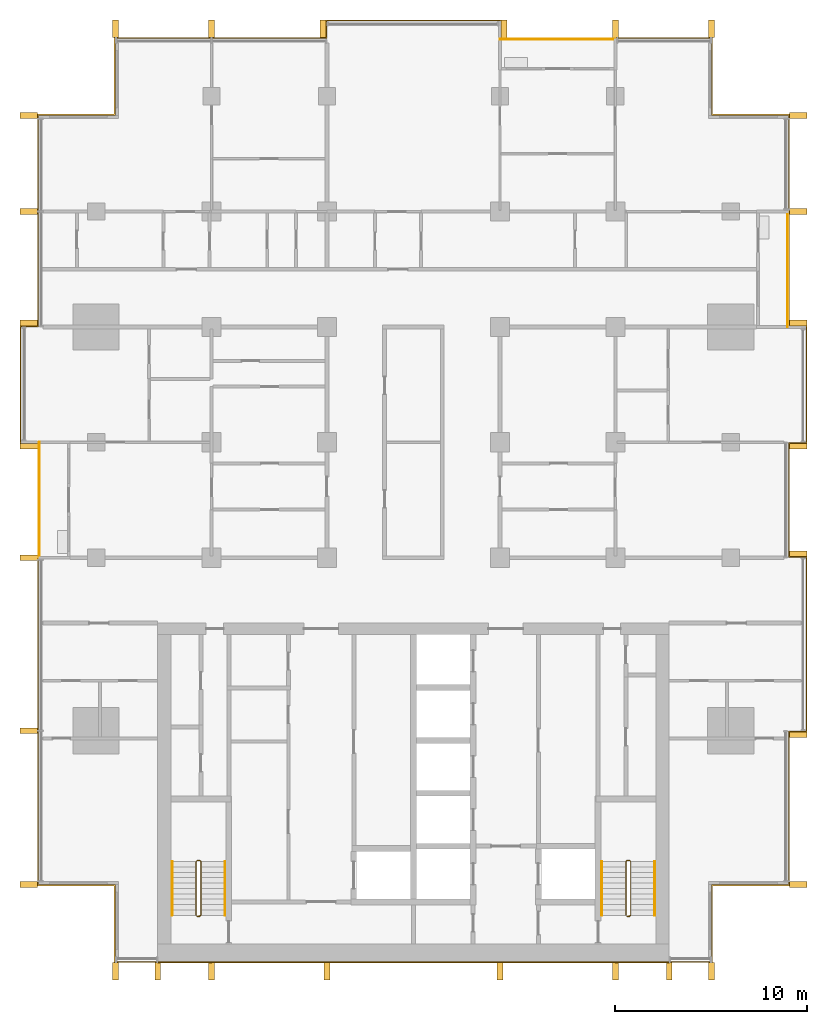
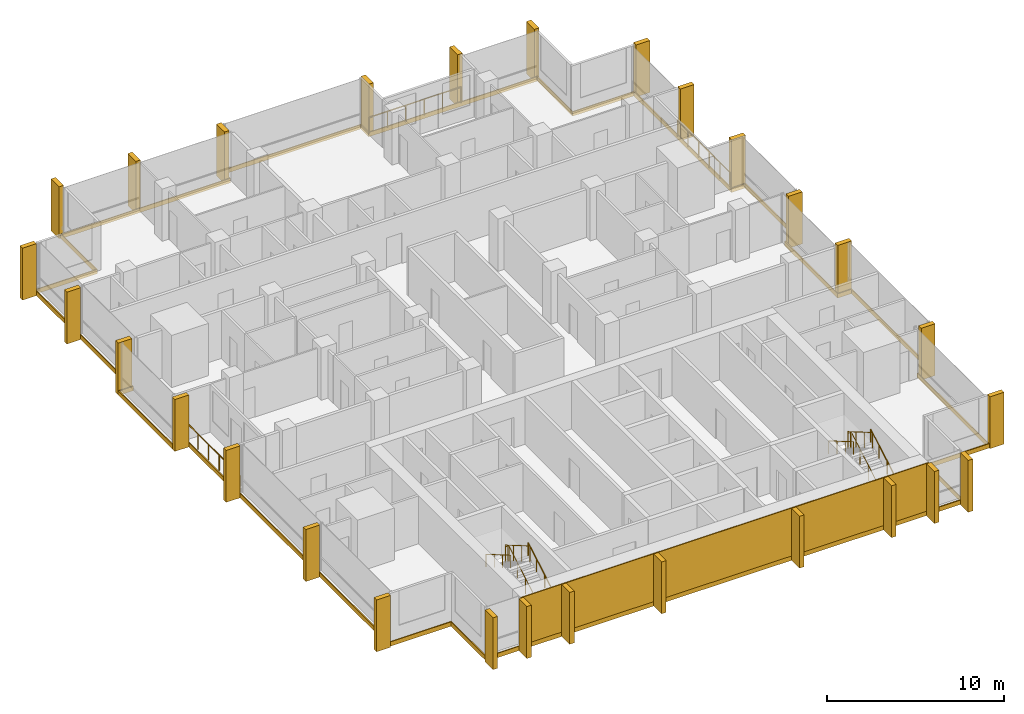
# One storey, part 17 of 17: 28 shading devices, 9 railings, 6 coverings.
"""IFC4 building model written with IfcOpenShell, lengths in metres."""

from ifc_helpers import new_model, si_unit, direction, frame, origin, origin_2d, place, context, subcontext, project, spatial, polyline, rectangle, circle, outline, extrude, material, layer, layer_set, type_object, element, save


model = new_model("IFC4")

# Units and contexts
model_context = context("Model", 3, precision=1e-05, world=origin(), true_north=direction((0.0, 1.0)))
body_context = subcontext(model_context, "Body", "Model", "MODEL_VIEW")
ifc_project = project(units=[si_unit("LENGTHUNIT", "METRE"), si_unit("AREAUNIT", "SQUARE_METRE"), si_unit("VOLUMEUNIT", "CUBIC_METRE"), si_unit("PLANEANGLEUNIT", "RADIAN"), si_unit("MASSUNIT", "GRAM", prefix="KILO")], contexts=[model_context])

# Site, building, storey
site_placement = place(None, origin())
site = spatial("IfcSite", under=ifc_project, at=site_placement, CompositionType="ELEMENT")
building_placement = place(site_placement, origin())
building = spatial("IfcBuilding", under=site, at=building_placement, Name="Finial Court Residences", CompositionType="ELEMENT")
storey_placement = place(building_placement, frame((0.0, 0.0, 192.5)))
storey = spatial("IfcBuildingStorey", under=building, at=storey_placement, Name="L48", CompositionType="ELEMENT", Elevation=192.5)

# Railings
ifc_material_1 = material(Name="Bronze anodised aluminium", Category="aluminium")
railing_type_1 = type_object("IfcRailingType", Name="Balcony guard 1100", PredefinedType="GUARDRAIL", material=ifc_material_1)
railing_1_placement = place(storey_placement, frame((4.5, 22.449951171875, 0.0)))
element("IfcRailing", 1, at=railing_1_placement, inside=storey, type_object=railing_type_1, Name="E-L48-BALN4-R", PredefinedType="GUARDRAIL", context=body_context, shape_type="SweptSolid", body=[
    extrude(circle(Radius=0.02392578125, at=origin_2d()), frame((0.0, 0.0, 1.076171875), z_axis=(1.0, 0.0, 0.0), x_axis=(0.0, 1.0, 0.0)), (0.0, 0.0, 1.0), 6.0),
    extrude(circle(Radius=0.02099609375, at=origin_2d()), origin(), (0.0, 0.0, 1.0), 1.052001953125),
    extrude(circle(Radius=0.02099609375, at=origin_2d()), frame((1.199951171875, 0.0, 0.0)), (0.0, 0.0, 1.0), 1.052001953125),
    extrude(circle(Radius=0.02099609375, at=origin_2d()), frame((2.39990234375, 0.0, 0.0)), (0.0, 0.0, 1.0), 1.052001953125),
    extrude(circle(Radius=0.02099609375, at=origin_2d()), frame((3.60009765625, 0.0, 0.0)), (0.0, 0.0, 1.0), 1.052001953125),
    extrude(circle(Radius=0.02099609375, at=origin_2d()), frame((4.800048828125, 0.0, 0.0)), (0.0, 0.0, 1.0), 1.052001953125),
    extrude(circle(Radius=0.02099609375, at=origin_2d()), frame((6.0, 0.0, 0.0)), (0.0, 0.0, 1.0), 1.052001953125),
])
for number, where, name in (
    (2, (19.449951171875, 7.5, 0.0), "E-L48-BALE5-R"),
    (3, (-19.449951171875, -4.5, 0.0), "E-L48-BALW3-R"),
):
    element("IfcRailing", number, at=place(storey_placement, frame(where)), inside=storey, type_object=railing_type_1, Name=name, PredefinedType="GUARDRAIL", context=body_context, shape_type="SweptSolid", body=[
        extrude(circle(Radius=0.02392578125, at=origin_2d()), frame((0.0, 0.0, 1.076171875), z_axis=(0.0, 1.0, 0.0), x_axis=(-1.0, 0.0, 0.0)), (0.0, 0.0, 1.0), 6.0),
        extrude(circle(Radius=0.02099609375, at=origin_2d()), origin(), (0.0, 0.0, 1.0), 1.052001953125),
        extrude(circle(Radius=0.02099609375, at=origin_2d()), frame((0.0, 1.199951171875, 0.0)), (0.0, 0.0, 1.0), 1.052001953125),
        extrude(circle(Radius=0.02099609375, at=origin_2d()), frame((0.0, 2.39990234375, 0.0)), (0.0, 0.0, 1.0), 1.052001953125),
        extrude(circle(Radius=0.02099609375, at=origin_2d()), frame((0.0, 3.60009765625, 0.0)), (0.0, 0.0, 1.0), 1.052001953125),
        extrude(circle(Radius=0.02099609375, at=origin_2d()), frame((0.0, 4.800048828125, 0.0)), (0.0, 0.0, 1.0), 1.052001953125),
        extrude(circle(Radius=0.02099609375, at=origin_2d()), frame((0.0, 6.0, 0.0)), (0.0, 0.0, 1.0), 1.052001953125),
    ])

# Coverings
ifc_material_2 = material(Name="Natural limestone", Category="masonry")
ifc_layer_1 = layer(ifc_material_2, 0.06005859375)
ifc_layer_set_1 = layer_set([ifc_layer_1], Name="Limestone cladding to the blind core face 60")
covering_type_1 = type_object("IfcCoveringType", Name="Limestone cladding to the blind core face 60", PredefinedType="CLADDING", material=ifc_layer_set_1)
covering_1_placement = place(storey_placement, origin())
element("IfcCovering", 4, at=covering_1_placement, inside=storey, type_object=covering_type_1, Name="E-L48-CLAD1", PredefinedType="CLADDING", context=body_context, shape_type="SweptSolid", body=[
    extrude(outline(polyline([(-10.5, -25.56005859375), (-10.5, -25.5), (-13.300048828125, -25.5), (-13.300048828125, -25.56005859375), (-10.5, -25.56005859375)])), origin(), (0.0, 0.0, 1.0), 3.300048828125),
])
covering_2_placement = place(storey_placement, origin())
element("IfcCovering", 5, at=covering_2_placement, inside=storey, type_object=covering_type_1, Name="E-L48-CLAD2", PredefinedType="CLADDING", context=body_context, shape_type="SweptSolid", body=[
    extrude(outline(polyline([(-4.5, -25.56005859375), (-4.5, -25.5), (-10.5, -25.5), (-10.5, -25.56005859375), (-4.5, -25.56005859375)])), origin(), (0.0, 0.0, 1.0), 3.300048828125),
])
covering_3_placement = place(storey_placement, origin())
element("IfcCovering", 6, at=covering_3_placement, inside=storey, type_object=covering_type_1, Name="E-L48-CLAD3", PredefinedType="CLADDING", context=body_context, shape_type="SweptSolid", body=[
    extrude(outline(polyline([(4.5, -25.56005859375), (4.5, -25.5), (-4.5, -25.5), (-4.5, -25.56005859375), (4.5, -25.56005859375)])), origin(), (0.0, 0.0, 1.0), 3.300048828125),
])
covering_4_placement = place(storey_placement, origin())
element("IfcCovering", 7, at=covering_4_placement, inside=storey, type_object=covering_type_1, Name="E-L48-CLAD4", PredefinedType="CLADDING", context=body_context, shape_type="SweptSolid", body=[
    extrude(outline(polyline([(10.5, -25.56005859375), (10.5, -25.5), (4.5, -25.5), (4.5, -25.56005859375), (10.5, -25.56005859375)])), origin(), (0.0, 0.0, 1.0), 3.300048828125),
])
covering_5_placement = place(storey_placement, origin())
element("IfcCovering", 8, at=covering_5_placement, inside=storey, type_object=covering_type_1, Name="E-L48-CLAD5", PredefinedType="CLADDING", context=body_context, shape_type="SweptSolid", body=[
    extrude(outline(polyline([(13.300048828125, -25.56005859375), (13.300048828125, -25.5), (10.5, -25.5), (10.5, -25.56005859375), (13.300048828125, -25.56005859375)])), origin(), (0.0, 0.0, 1.0), 3.300048828125),
])

# Shading devices
shading_device_type = type_object("IfcShadingDeviceType", Name="Limestone fin 300 x 900", PredefinedType="USERDEFINED", material=ifc_material_2)
for number, where, z_axis, x_axis, name in (
    (9, (-15.5, 23.010009765625, -0.300048828125), (0.0, 0.0, 1.0), (1.0, 0.0, 0.0), "E-L48-FIN-N1"),
    (10, (-10.5, 23.010009765625, -0.300048828125), (0.0, 0.0, 1.0), (1.0, 0.0, 0.0), "E-L48-FIN-N2"),
    (11, (-4.7099609375, 23.010009765625, -0.300048828125), (0.0, 0.0, 1.0), (1.0, 0.0, 0.0), "E-L48-FIN-N3"),
    (12, (4.7099609375, 23.010009765625, -0.300048828125), (0.0, 0.0, 1.0), (1.0, 0.0, 0.0), "E-L48-FIN-N4"),
    (13, (10.5, 23.010009765625, -0.300048828125), (0.0, 0.0, 1.0), (1.0, 0.0, 0.0), "E-L48-FIN-N5"),
    (14, (15.5, 23.010009765625, -0.300048828125), (0.0, 0.0, 1.0), (1.0, 0.0, 0.0), "E-L48-FIN-N6"),
):
    element("IfcShadingDevice", number, at=place(storey_placement, frame(where, z_axis=z_axis, x_axis=x_axis)), inside=storey, type_object=shading_device_type, Name=name, ObjectType="FIN", PredefinedType="USERDEFINED", context=body_context, shape_type="SweptSolid", body=[
        extrude(rectangle(XDim=0.300048828125, YDim=0.89990234375, at=origin_2d()), origin(), (0.0, 0.0, 1.0), 3.580078125),
    ])
for number, where, z_axis, x_axis, name in (
    (15, (20.010009765625, -21.5, -0.300048828125), (0.0, 0.0, 1.0), (1.0, 0.0, 0.0), "E-L48-FIN-E7"),
    (16, (20.010009765625, -13.7099609375, -0.300048828125), (0.0, 0.0, 1.0), (1.0, 0.0, 0.0), "E-L48-FIN-E8"),
    (17, (20.010009765625, -4.2900390625, -0.300048828125), (0.0, 0.0, 1.0), (1.0, 0.0, 0.0), "E-L48-FIN-E9"),
    (18, (20.010009765625, 1.2900390625, -0.300048828125), (0.0, 0.0, 1.0), (1.0, 0.0, 0.0), "E-L48-FIN-E10"),
    (19, (20.010009765625, 7.7099609375, -0.300048828125), (0.0, 0.0, 1.0), (1.0, 0.0, 0.0), "E-L48-FIN-E11"),
    (20, (20.010009765625, 13.5, -0.300048828125), (0.0, 0.0, 1.0), (1.0, 0.0, 0.0), "E-L48-FIN-E12"),
    (21, (20.010009765625, 18.5, -0.300048828125), (0.0, 0.0, 1.0), (1.0, 0.0, 0.0), "E-L48-FIN-E13"),
):
    element("IfcShadingDevice", number, at=place(storey_placement, frame(where, z_axis=z_axis, x_axis=x_axis)), inside=storey, type_object=shading_device_type, Name=name, ObjectType="FIN", PredefinedType="USERDEFINED", context=body_context, shape_type="SweptSolid", body=[
        extrude(rectangle(XDim=0.89990234375, YDim=0.300048828125, at=origin_2d()), origin(), (0.0, 0.0, 1.0), 3.580078125),
    ])
for number, where, z_axis, x_axis, name in (
    (22, (-15.5, -26.010009765625, -0.300048828125), (0.0, 0.0, 1.0), (1.0, 0.0, 0.0), "E-L48-FIN-S14"),
    (23, (-13.300048828125, -26.010009765625, -0.300048828125), (0.0, 0.0, 1.0), (1.0, 0.0, 0.0), "E-L48-FIN-S15"),
    (24, (-10.5, -26.010009765625, -0.300048828125), (0.0, 0.0, 1.0), (1.0, 0.0, 0.0), "E-L48-FIN-S16"),
    (25, (-4.5, -26.010009765625, -0.300048828125), (0.0, 0.0, 1.0), (1.0, 0.0, 0.0), "E-L48-FIN-S17"),
    (26, (4.5, -26.010009765625, -0.300048828125), (0.0, 0.0, 1.0), (1.0, 0.0, 0.0), "E-L48-FIN-S18"),
    (27, (10.5, -26.010009765625, -0.300048828125), (0.0, 0.0, 1.0), (1.0, 0.0, 0.0), "E-L48-FIN-S19"),
    (28, (13.300048828125, -26.010009765625, -0.300048828125), (0.0, 0.0, 1.0), (1.0, 0.0, 0.0), "E-L48-FIN-S20"),
    (29, (15.5, -26.010009765625, -0.300048828125), (0.0, 0.0, 1.0), (1.0, 0.0, 0.0), "E-L48-FIN-S21"),
):
    element("IfcShadingDevice", number, at=place(storey_placement, frame(where, z_axis=z_axis, x_axis=x_axis)), inside=storey, type_object=shading_device_type, Name=name, ObjectType="FIN", PredefinedType="USERDEFINED", context=body_context, shape_type="SweptSolid", body=[
        extrude(rectangle(XDim=0.300048828125, YDim=0.89990234375, at=origin_2d()), origin(), (0.0, 0.0, 1.0), 3.580078125),
    ])
for number, where, z_axis, x_axis, name in (
    (30, (-20.010009765625, -21.5, -0.300048828125), (0.0, 0.0, 1.0), (1.0, 0.0, 0.0), "E-L48-FIN-W22"),
    (31, (-20.010009765625, -13.5, -0.300048828125), (0.0, 0.0, 1.0), (1.0, 0.0, 0.0), "E-L48-FIN-W23"),
    (32, (-20.010009765625, -4.5, -0.300048828125), (0.0, 0.0, 1.0), (1.0, 0.0, 0.0), "E-L48-FIN-W24"),
    (33, (-20.010009765625, 1.2900390625, -0.300048828125), (0.0, 0.0, 1.0), (1.0, 0.0, 0.0), "E-L48-FIN-W25"),
    (34, (-20.010009765625, 7.7099609375, -0.300048828125), (0.0, 0.0, 1.0), (1.0, 0.0, 0.0), "E-L48-FIN-W26"),
    (35, (-20.010009765625, 13.5, -0.300048828125), (0.0, 0.0, 1.0), (1.0, 0.0, 0.0), "E-L48-FIN-W27"),
    (36, (-20.010009765625, 18.5, -0.300048828125), (0.0, 0.0, 1.0), (1.0, 0.0, 0.0), "E-L48-FIN-W28"),
):
    element("IfcShadingDevice", number, at=place(storey_placement, frame(where, z_axis=z_axis, x_axis=x_axis)), inside=storey, type_object=shading_device_type, Name=name, ObjectType="FIN", PredefinedType="USERDEFINED", context=body_context, shape_type="SweptSolid", body=[
        extrude(rectangle(XDim=0.89990234375, YDim=0.300048828125, at=origin_2d()), origin(), (0.0, 0.0, 1.0), 3.580078125),
    ])

# Covering
ifc_material_3 = material(Name="Pale limestone", Category="masonry")
ifc_layer_2 = layer(ifc_material_3, 0.06005859375)
ifc_layer_set_2 = layer_set([ifc_layer_2], Name="Pale limestone slab-edge band 60")
covering_type_2 = type_object("IfcCoveringType", Name="Pale limestone slab-edge band 60", PredefinedType="CLADDING", material=ifc_layer_set_2)
covering_6_placement = place(storey_placement, frame((0.0, 0.0, -0.300048828125)))
element("IfcCovering", 37, at=covering_6_placement, inside=storey, type_object=covering_type_2, Name="E-L48-BAND1", PredefinedType="CLADDING", context=body_context, shape_type="SweptSolid", body=[
    extrude(outline(polyline([(-20.4599609375, 7.56005859375), (-19.56005859375, 7.56005859375), (-19.56005859375, 18.56005859375), (-15.56005859375, 18.56005859375), (-15.56005859375, 22.56005859375), (-4.56005859375, 22.56005859375), (-4.56005859375, 23.4599609375), (4.56005859375, 23.4599609375), (4.56005859375, 22.56005859375), (15.56005859375, 22.56005859375), (15.56005859375, 18.56005859375), (19.56005859375, 18.56005859375), (19.56005859375, 7.56005859375), (20.4599609375, 7.56005859375), (20.4599609375, 1.43994140625), (19.56005859375, 1.43994140625), (19.56005859375, -4.43994140625), (20.4599609375, -4.43994140625), (20.4599609375, -13.56005859375), (19.56005859375, -13.56005859375), (19.56005859375, -21.56005859375), (15.56005859375, -21.56005859375), (15.56005859375, -25.56005859375), (-15.56005859375, -25.56005859375), (-15.56005859375, -21.56005859375), (-19.56005859375, -21.56005859375), (-19.56005859375, 1.43994140625), (-20.4599609375, 1.43994140625), (-20.4599609375, 7.56005859375)]), holes=[polyline([(-19.5, 1.5), (-19.5, -4.5), (-19.5, -21.5), (-15.5, -21.5), (-15.5, -25.5), (15.5, -25.5), (15.5, -21.5), (19.5, -21.5), (19.5, -13.5), (20.39990234375, -13.5), (20.39990234375, -4.5), (19.5, -4.5), (19.5, 1.5), (20.39990234375, 1.5), (20.39990234375, 7.5), (19.5, 7.5), (19.5, 13.5), (19.5, 18.5), (15.5, 18.5), (15.5, 22.5), (10.5, 22.5), (4.5, 22.5), (4.5, 23.39990234375), (-4.5, 23.39990234375), (-4.5, 22.5), (-15.5, 22.5), (-15.5, 18.5), (-19.5, 18.5), (-19.5, 7.5), (-20.39990234375, 7.5), (-20.39990234375, 1.5), (-19.5, 1.5)])]), origin(), (0.0, 0.0, 1.0), 0.300048828125),
])

# Railings
ifc_material_4 = material(Name="Stainless steel railing", Category="steel")
railing_type_2 = type_object("IfcRailingType", Name="Stair guard 1100", PredefinedType="GUARDRAIL", material=ifc_material_4)
railing_2_placement = place(storey_placement, frame((-11.10009765625, -23.14990234375, 0.0)))
element("IfcRailing", 38, at=railing_2_placement, inside=storey, type_object=railing_type_2, Name="L48 ST-1 stair guard 1", PredefinedType="GUARDRAIL", context=body_context, shape_type="SweptSolid", body=[
    extrude(circle(Radius=0.02392578125, at=origin_2d()), frame((0.0, 0.0, 1.076171875), z_axis=(-1.0, 0.0, 0.0), x_axis=(0.0, -1.0, 0.0)), (0.0, 0.0, 1.0), 0.14990234375),
    extrude(circle(Radius=0.02392578125, at=origin_2d()), frame((-0.14990234375, 0.0, 1.076171875), z_axis=(0.760004195007, 0.189305074214, 0.621737253547), x_axis=(-0.241699205484, 0.970351222016, 0.0)), (0.0, 0.0, 1.0), 0.26318359375),
    extrude(circle(Radius=0.02392578125, at=origin_2d()), frame((0.050048828125, 0.0498046875, 1.23974609375), z_axis=(0.0, 0.863360870873, 0.504586966384), x_axis=(-1.0, 0.0, 0.0)), (0.0, 0.0, 1.0), 3.2431640625),
    extrude(circle(Radius=0.02392578125, at=origin_2d()), frame((0.050048828125, 2.849853515625, 2.8759765625), z_axis=(-0.707106781187, 0.707106781187, 0.0), x_axis=(-0.707106781187, -0.707106781187, 0.0)), (0.0, 0.0, 1.0), 0.07080078125),
    extrude(circle(Radius=0.02392578125, at=origin_2d()), frame((0.0, 2.89990234375, 2.8759765625), z_axis=(-1.0, 0.0, 0.0), x_axis=(0.0, -1.0, 0.0)), (0.0, 0.0, 1.0), 0.14990234375),
    extrude(circle(Radius=0.02392578125, at=origin_2d()), frame((-0.14990234375, 2.89990234375, 2.8759765625), z_axis=(-0.280808744504, -0.280808744504, 0.917765164963), x_axis=(0.707106781187, -0.707106781187, 0.0)), (0.0, 0.0, 1.0), 0.17822265625),
    extrude(circle(Radius=0.02392578125, at=origin_2d()), frame((-0.199951171875, 2.849853515625, 3.03955078125), z_axis=(0.0, -0.863360870873, 0.504586966384), x_axis=(1.0, 0.0, 0.0)), (0.0, 0.0, 1.0), 3.2431640625),
    extrude(circle(Radius=0.02099609375, at=origin_2d()), origin(), (0.0, 0.0, 1.0), 1.052001953125),
    extrude(circle(Radius=0.02099609375, at=origin_2d()), frame((-0.14990234375, 0.0, 0.0)), (0.0, 0.0, 1.0), 1.052001953125),
    extrude(circle(Radius=0.02099609375, at=origin_2d()), frame((0.050048828125, 0.0498046875, 0.16357421875)), (0.0, 0.0, 1.0), 1.052001953125),
    extrude(circle(Radius=0.02099609375, at=origin_2d()), frame((0.050048828125, 0.983154296875, 0.708984375)), (0.0, 0.0, 1.0), 1.052001953125),
    extrude(circle(Radius=0.02099609375, at=origin_2d()), frame((0.050048828125, 1.91650390625, 1.254638671875)), (0.0, 0.0, 1.0), 1.052001953125),
    extrude(circle(Radius=0.02099609375, at=origin_2d()), frame((0.050048828125, 2.849853515625, 1.800048828125)), (0.0, 0.0, 1.0), 1.052001953125),
    extrude(circle(Radius=0.02099609375, at=origin_2d()), frame((0.0, 2.89990234375, 1.800048828125)), (0.0, 0.0, 1.0), 1.052001953125),
    extrude(circle(Radius=0.02099609375, at=origin_2d()), frame((-0.14990234375, 2.89990234375, 1.800048828125)), (0.0, 0.0, 1.0), 1.052001953125),
    extrude(circle(Radius=0.02099609375, at=origin_2d()), frame((-0.199951171875, 2.849853515625, 1.963623046875)), (0.0, 0.0, 1.0), 1.052001953125),
    extrude(circle(Radius=0.02099609375, at=origin_2d()), frame((-0.199951171875, 1.91650390625, 2.509033203125)), (0.0, 0.0, 1.0), 1.052001953125),
    extrude(circle(Radius=0.02099609375, at=origin_2d()), frame((-0.199951171875, 0.983154296875, 3.0546875)), (0.0, 0.0, 1.0), 1.052001953125),
    extrude(circle(Radius=0.02099609375, at=origin_2d()), frame((-0.199951171875, 0.0498046875, 3.60009765625)), (0.0, 0.0, 1.0), 1.052001953125),
])
railing_3_placement = place(storey_placement, frame((11.25, -23.14990234375, 0.0)))
element("IfcRailing", 39, at=railing_3_placement, inside=storey, type_object=railing_type_2, Name="L48 ST-2 stair guard 1", PredefinedType="GUARDRAIL", context=body_context, shape_type="SweptSolid", body=[
    extrude(circle(Radius=0.02392578125, at=origin_2d()), frame((0.0, 0.0, 1.076171875), z_axis=(-1.0, 0.0, 0.0), x_axis=(0.0, -1.0, 0.0)), (0.0, 0.0, 1.0), 0.14990234375),
    extrude(circle(Radius=0.02392578125, at=origin_2d()), frame((-0.14990234375, 0.0, 1.076171875), z_axis=(0.760004195007, 0.189305074214, 0.621737253547), x_axis=(-0.241699205484, 0.970351222016, 0.0)), (0.0, 0.0, 1.0), 0.26318359375),
    extrude(circle(Radius=0.02392578125, at=origin_2d()), frame((0.050048828125, 0.0498046875, 1.23974609375), z_axis=(0.0, 0.863360870873, 0.504586966384), x_axis=(-1.0, 0.0, 0.0)), (0.0, 0.0, 1.0), 3.2431640625),
    extrude(circle(Radius=0.02392578125, at=origin_2d()), frame((0.050048828125, 2.849853515625, 2.8759765625), z_axis=(-0.707106781187, 0.707106781187, 0.0), x_axis=(-0.707106781187, -0.707106781187, 0.0)), (0.0, 0.0, 1.0), 0.07080078125),
    extrude(circle(Radius=0.02392578125, at=origin_2d()), frame((0.0, 2.89990234375, 2.8759765625), z_axis=(-1.0, 0.0, 0.0), x_axis=(0.0, -1.0, 0.0)), (0.0, 0.0, 1.0), 0.14990234375),
    extrude(circle(Radius=0.02392578125, at=origin_2d()), frame((-0.14990234375, 2.89990234375, 2.8759765625), z_axis=(-0.280808744504, -0.280808744504, 0.917765164963), x_axis=(0.707106781187, -0.707106781187, 0.0)), (0.0, 0.0, 1.0), 0.17822265625),
    extrude(circle(Radius=0.02392578125, at=origin_2d()), frame((-0.199951171875, 2.849853515625, 3.03955078125), z_axis=(0.0, -0.863360870873, 0.504586966384), x_axis=(1.0, 0.0, 0.0)), (0.0, 0.0, 1.0), 3.2431640625),
    extrude(circle(Radius=0.02099609375, at=origin_2d()), origin(), (0.0, 0.0, 1.0), 1.052001953125),
    extrude(circle(Radius=0.02099609375, at=origin_2d()), frame((-0.14990234375, 0.0, 0.0)), (0.0, 0.0, 1.0), 1.052001953125),
    extrude(circle(Radius=0.02099609375, at=origin_2d()), frame((0.050048828125, 0.0498046875, 0.16357421875)), (0.0, 0.0, 1.0), 1.052001953125),
    extrude(circle(Radius=0.02099609375, at=origin_2d()), frame((0.050048828125, 0.983154296875, 0.708984375)), (0.0, 0.0, 1.0), 1.052001953125),
    extrude(circle(Radius=0.02099609375, at=origin_2d()), frame((0.050048828125, 1.91650390625, 1.254638671875)), (0.0, 0.0, 1.0), 1.052001953125),
    extrude(circle(Radius=0.02099609375, at=origin_2d()), frame((0.050048828125, 2.849853515625, 1.800048828125)), (0.0, 0.0, 1.0), 1.052001953125),
    extrude(circle(Radius=0.02099609375, at=origin_2d()), frame((0.0, 2.89990234375, 1.800048828125)), (0.0, 0.0, 1.0), 1.052001953125),
    extrude(circle(Radius=0.02099609375, at=origin_2d()), frame((-0.14990234375, 2.89990234375, 1.800048828125)), (0.0, 0.0, 1.0), 1.052001953125),
    extrude(circle(Radius=0.02099609375, at=origin_2d()), frame((-0.199951171875, 2.849853515625, 1.963623046875)), (0.0, 0.0, 1.0), 1.052001953125),
    extrude(circle(Radius=0.02099609375, at=origin_2d()), frame((-0.199951171875, 1.91650390625, 2.509033203125)), (0.0, 0.0, 1.0), 1.052001953125),
    extrude(circle(Radius=0.02099609375, at=origin_2d()), frame((-0.199951171875, 0.983154296875, 3.0546875)), (0.0, 0.0, 1.0), 1.052001953125),
    extrude(circle(Radius=0.02099609375, at=origin_2d()), frame((-0.199951171875, 0.0498046875, 3.60009765625)), (0.0, 0.0, 1.0), 1.052001953125),
])
railing_type_3 = type_object("IfcRailingType", Name="Stair handrail 900", PredefinedType="HANDRAIL", material=ifc_material_4)
railing_4_placement = place(storey_placement, frame((-9.800048828125, -23.10009765625, 0.16357421875)))
element("IfcRailing", 40, at=railing_4_placement, inside=storey, type_object=railing_type_3, Name="L48 ST-1 stair handrail 1", PredefinedType="HANDRAIL", context=body_context, shape_type="SweptSolid", body=[
    extrude(circle(Radius=0.02392578125, at=origin_2d()), frame((0.0, 0.0, 0.8759765625), z_axis=(0.0, 0.863360870873, 0.504586966384), x_axis=(-1.0, 0.0, 0.0)), (0.0, 0.0, 1.0), 3.2431640625),
    extrude(circle(Radius=0.02099609375, at=origin_2d()), origin(), (0.0, 0.0, 1.0), 0.851806640625),
    extrude(circle(Radius=0.02099609375, at=origin_2d()), frame((0.0, 0.933349609375, 0.54541015625)), (0.0, 0.0, 1.0), 0.851806640625),
    extrude(circle(Radius=0.02099609375, at=origin_2d()), frame((0.0, 1.86669921875, 1.091064453125)), (0.0, 0.0, 1.0), 0.851806640625),
    extrude(circle(Radius=0.02099609375, at=origin_2d()), frame((0.0, 2.800048828125, 1.636474609375)), (0.0, 0.0, 1.0), 0.851806640625),
])
railing_5_placement = place(storey_placement, frame((-12.550048828125, -20.300048828125, 1.963623046875)))
element("IfcRailing", 41, at=railing_5_placement, inside=storey, type_object=railing_type_3, Name="L48 ST-1 stair handrail 2", PredefinedType="HANDRAIL", context=body_context, shape_type="SweptSolid", body=[
    extrude(circle(Radius=0.02392578125, at=origin_2d()), frame((0.0, 0.0, 0.8759765625), z_axis=(0.0, -0.863360870873, 0.504586966384), x_axis=(1.0, 0.0, 0.0)), (0.0, 0.0, 1.0), 3.2431640625),
    extrude(circle(Radius=0.02099609375, at=origin_2d()), origin(), (0.0, 0.0, 1.0), 0.851806640625),
    extrude(circle(Radius=0.02099609375, at=origin_2d()), frame((0.0, -0.933349609375, 0.54541015625)), (0.0, 0.0, 1.0), 0.851806640625),
    extrude(circle(Radius=0.02099609375, at=origin_2d()), frame((0.0, -1.86669921875, 1.091064453125)), (0.0, 0.0, 1.0), 0.851806640625),
    extrude(circle(Radius=0.02099609375, at=origin_2d()), frame((0.0, -2.800048828125, 1.636474609375)), (0.0, 0.0, 1.0), 0.851806640625),
])
railing_6_placement = place(storey_placement, frame((12.550048828125, -23.10009765625, 0.16357421875)))
element("IfcRailing", 42, at=railing_6_placement, inside=storey, type_object=railing_type_3, Name="L48 ST-2 stair handrail 1", PredefinedType="HANDRAIL", context=body_context, shape_type="SweptSolid", body=[
    extrude(circle(Radius=0.02392578125, at=origin_2d()), frame((0.0, 0.0, 0.8759765625), z_axis=(0.0, 0.863360870873, 0.504586966384), x_axis=(-1.0, 0.0, 0.0)), (0.0, 0.0, 1.0), 3.2431640625),
    extrude(circle(Radius=0.02099609375, at=origin_2d()), origin(), (0.0, 0.0, 1.0), 0.851806640625),
    extrude(circle(Radius=0.02099609375, at=origin_2d()), frame((0.0, 0.933349609375, 0.54541015625)), (0.0, 0.0, 1.0), 0.851806640625),
    extrude(circle(Radius=0.02099609375, at=origin_2d()), frame((0.0, 1.86669921875, 1.091064453125)), (0.0, 0.0, 1.0), 0.851806640625),
    extrude(circle(Radius=0.02099609375, at=origin_2d()), frame((0.0, 2.800048828125, 1.636474609375)), (0.0, 0.0, 1.0), 0.851806640625),
])
railing_7_placement = place(storey_placement, frame((9.800048828125, -20.300048828125, 1.963623046875)))
element("IfcRailing", 43, at=railing_7_placement, inside=storey, type_object=railing_type_3, Name="L48 ST-2 stair handrail 2", PredefinedType="HANDRAIL", context=body_context, shape_type="SweptSolid", body=[
    extrude(circle(Radius=0.02392578125, at=origin_2d()), frame((0.0, 0.0, 0.8759765625), z_axis=(0.0, -0.863360870873, 0.504586966384), x_axis=(1.0, 0.0, 0.0)), (0.0, 0.0, 1.0), 3.2431640625),
    extrude(circle(Radius=0.02099609375, at=origin_2d()), origin(), (0.0, 0.0, 1.0), 0.851806640625),
    extrude(circle(Radius=0.02099609375, at=origin_2d()), frame((0.0, -0.933349609375, 0.54541015625)), (0.0, 0.0, 1.0), 0.851806640625),
    extrude(circle(Radius=0.02099609375, at=origin_2d()), frame((0.0, -1.86669921875, 1.091064453125)), (0.0, 0.0, 1.0), 0.851806640625),
    extrude(circle(Radius=0.02099609375, at=origin_2d()), frame((0.0, -2.800048828125, 1.636474609375)), (0.0, 0.0, 1.0), 0.851806640625),
])

save(model, "model.ifc")
